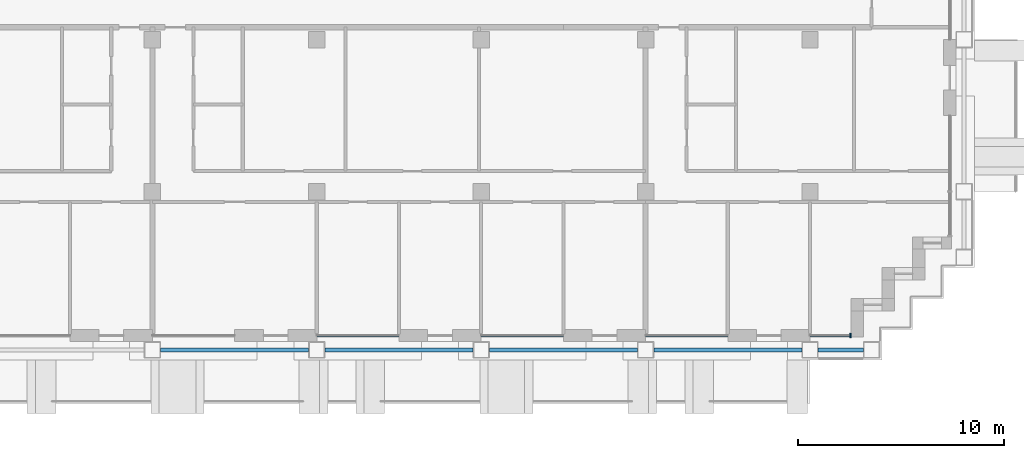
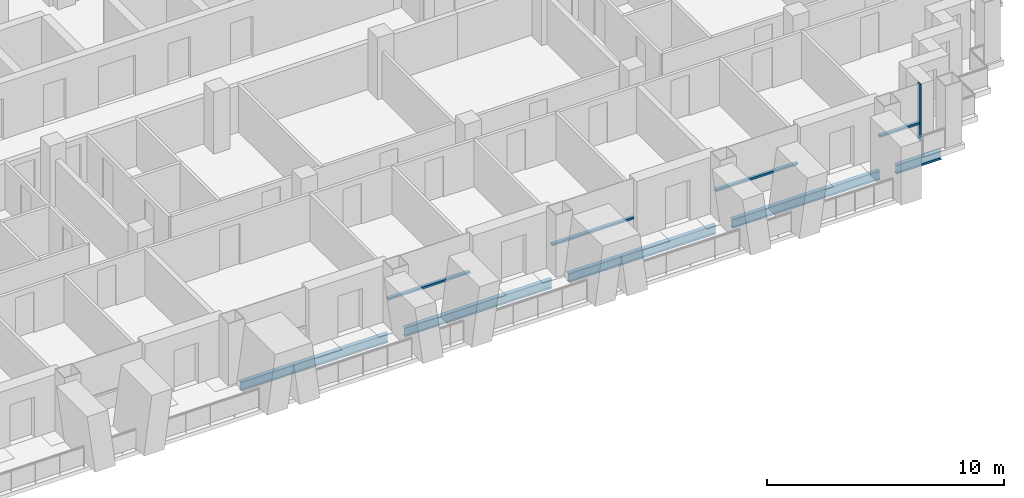
# One storey, part 3 of 16: 5 beams, 5 members, 4 elements without a shape of their own.
"""IFC4 building model written with IfcOpenShell, lengths in metres."""

from ifc_helpers import new_model, si_unit, direction, frame, origin, origin_2d, place, context, subcontext, project, spatial, rectangle, i_section, extrude, material, material_profile, profile_set, type_object, element, aggregate, save


model = new_model("IFC4")

# Units and contexts
model_context = context("Model", 3, precision=1e-05, world=origin(), true_north=direction((0.0, 1.0)))
body_context = subcontext(model_context, "Body", "Model", "MODEL_VIEW")
ifc_project = project(units=[si_unit("LENGTHUNIT", "METRE"), si_unit("AREAUNIT", "SQUARE_METRE"), si_unit("VOLUMEUNIT", "CUBIC_METRE"), si_unit("PLANEANGLEUNIT", "RADIAN"), si_unit("MASSUNIT", "GRAM", prefix="KILO")], contexts=[model_context])

# Site, building, storey
site_placement = place(None, origin())
site = spatial("IfcSite", under=ifc_project, at=site_placement, CompositionType="ELEMENT")
building_placement = place(site_placement, origin())
building = spatial("IfcBuilding", under=site, at=building_placement, Name="Vidyagriha Tower", CompositionType="ELEMENT")
storey_placement = place(building_placement, frame((0.0, 0.0, 145.39990234375)))
storey = spatial("IfcBuildingStorey", under=building, at=storey_placement, Name="L38", CompositionType="ELEMENT", Elevation=145.39990234375)

# Beams
ifc_material_1 = material(Name="Steel ASTM A992 Grade 50", Category="steel")
ifc_material_profile_1 = material_profile(ifc_material_1, i_section(OverallWidth=0.19189453125, OverallDepth=0.46240234375, WebThickness=0.010498046875, FlangeThickness=0.017578125, at=origin_2d()), Name="W18X60")
ifc_profile_set_1 = profile_set([ifc_material_profile_1], Name="Steel ASTM A992 Grade 50")
beam_type = type_object("IfcBeamType", Name="Edge beam W18X60", PredefinedType="SPANDREL", material=ifc_profile_set_1)
for number, where, z_axis, x_axis, name in (
    (1, (-5.60009765625, -17.10009765625, -0.510986328125), (1.0, 0.0, 0.0), (0.0, 1.0, 0.0), "st-beam-L38-S04"),
    (2, (2.39990234375, -17.10009765625, -0.510986328125), (1.0, 0.0, 0.0), (0.0, 1.0, 0.0), "st-beam-L38-S05"),
    (3, (10.39990234375, -17.10009765625, -0.510986328125), (1.0, 0.0, 0.0), (0.0, 1.0, 0.0), "st-beam-L38-S06"),
    (4, (18.39990234375, -17.10009765625, -0.510986328125), (1.0, 0.0, 0.0), (0.0, 1.0, 0.0), "st-beam-L38-S07"),
):
    element("IfcBeam", number, at=place(storey_placement, frame(where, z_axis=z_axis, x_axis=x_axis)), inside=storey, type_object=beam_type, Name=name, PredefinedType="SPANDREL", context=body_context, shape_type="SweptSolid", body=[
        extrude(i_section(OverallWidth=0.19189453125, OverallDepth=0.46240234375, WebThickness=0.010498046875, FlangeThickness=0.017578125, at=origin_2d()), origin(), (0.0, 0.0, 1.0), 7.2001953125),
    ])
beam_placement = place(storey_placement, frame((26.39990234375, -17.10009765625, -0.510986328125), z_axis=(1.0, 0.0, 0.0), x_axis=(0.0, 1.0, 0.0)))
element("IfcBeam", 5, at=beam_placement, inside=storey, type_object=beam_type, Name="st-beam-L38-S08", PredefinedType="SPANDREL", context=body_context, shape_type="SweptSolid", body=[
    extrude(i_section(OverallWidth=0.19189453125, OverallDepth=0.46240234375, WebThickness=0.010498046875, FlangeThickness=0.017578125, at=origin_2d()), origin(), (0.0, 0.0, 1.0), 2.2001953125),
])

# Curtain wall, member
ifc_material_2 = material(Name="Aluminium and glass curtain wall", Category="aluminium")
curtain_wall_type = type_object("IfcCurtainWallType", Name="Dwelling skin unitised curtain wall", PredefinedType="USERDEFINED", material=ifc_material_2)
curtain_wall_1_placement = place(storey_placement, origin())
curtain_wall_1 = element("IfcCurtainWall", 6, at=curtain_wall_1_placement, inside=storey, type_object=curtain_wall_type, Name="CW1 dwelling skin", ObjectType="UNITISED", PredefinedType="USERDEFINED")
ifc_material_3 = material(Name="Aluminium black anodised", Category="aluminium")
ifc_material_profile_2 = material_profile(ifc_material_3, rectangle(XDim=0.199951171875, YDim=0.070068359375, at=origin_2d()), Name="Mullion 70x200 black aluminium")
ifc_profile_set_2 = profile_set([ifc_material_profile_2], Name="Aluminium black anodised")
member_type_1 = type_object("IfcMemberType", Name="Mullion 70x200 black aluminium", PredefinedType="MULLION", material=ifc_profile_set_2)
member_1_placement = place(storey_placement, frame((27.965087890625, -16.39990234375, 0.0), z_axis=(0.0, 0.0, 1.0), x_axis=(0.0, 1.0, 0.0)))
member_1 = element("IfcMember", 7, at=member_1_placement, type_object=member_type_1, Name="CW1 mullion 2", PredefinedType="MULLION", context=body_context, shape_type="SweptSolid", body=[
    extrude(rectangle(XDim=0.199951171875, YDim=0.070068359375, at=origin_2d()), origin(), (0.0, 0.0, 1.0), 2.920166015625),
])

curtain_wall_2_placement = place(storey_placement, origin())
curtain_wall_2 = element("IfcCurtainWall", 8, at=curtain_wall_2_placement, inside=storey, type_object=curtain_wall_type, Name="CW1 dwelling skin", ObjectType="UNITISED", PredefinedType="USERDEFINED")
ifc_material_4 = material(Name="Aluminium black anodised", Category="aluminium")
ifc_material_profile_3 = material_profile(ifc_material_4, rectangle(XDim=0.159912109375, YDim=0.10009765625, at=origin_2d()), Name="Transom 100x160 black aluminium")
ifc_profile_set_3 = profile_set([ifc_material_profile_3], Name="Aluminium black anodised")
member_type_2 = type_object("IfcMemberType", Name="Transom 100x160 black aluminium", PredefinedType="USERDEFINED", material=ifc_profile_set_3)
member_2_placement = place(storey_placement, frame((2.0, -16.39990234375, 0.900146484375), z_axis=(1.0, 0.0, 0.0), x_axis=(0.0, 1.0, 0.0)))
member_2 = element("IfcMember", 9, at=member_2_placement, type_object=member_type_2, Name="CW1 transom 1.1", ObjectType="TRANSOM", PredefinedType="USERDEFINED", context=body_context, shape_type="SweptSolid", body=[
    extrude(rectangle(XDim=0.159912109375, YDim=0.10009765625, at=origin_2d()), origin(), (0.0, 0.0, 1.0), 4.0),
])
aggregate(curtain_wall_2, [member_2])

curtain_wall_3_placement = place(storey_placement, origin())
curtain_wall_3 = element("IfcCurtainWall", 10, at=curtain_wall_3_placement, inside=storey, type_object=curtain_wall_type, Name="CW1 dwelling skin", ObjectType="UNITISED", PredefinedType="USERDEFINED")
member_3_placement = place(storey_placement, frame((10.0, -16.39990234375, 0.900146484375), z_axis=(1.0, 0.0, 0.0), x_axis=(0.0, 1.0, 0.0)))
member_3 = element("IfcMember", 11, at=member_3_placement, type_object=member_type_2, Name="CW1 transom 1.1", ObjectType="TRANSOM", PredefinedType="USERDEFINED", context=body_context, shape_type="SweptSolid", body=[
    extrude(rectangle(XDim=0.159912109375, YDim=0.10009765625, at=origin_2d()), origin(), (0.0, 0.0, 1.0), 4.0),
])
aggregate(curtain_wall_3, [member_3])

curtain_wall_4_placement = place(storey_placement, origin())
curtain_wall_4 = element("IfcCurtainWall", 12, at=curtain_wall_4_placement, inside=storey, type_object=curtain_wall_type, Name="CW1 dwelling skin", ObjectType="UNITISED", PredefinedType="USERDEFINED")
member_4_placement = place(storey_placement, frame((18.0, -16.39990234375, 0.900146484375), z_axis=(1.0, 0.0, 0.0), x_axis=(0.0, 1.0, 0.0)))
member_4 = element("IfcMember", 13, at=member_4_placement, type_object=member_type_2, Name="CW1 transom 1.1", ObjectType="TRANSOM", PredefinedType="USERDEFINED", context=body_context, shape_type="SweptSolid", body=[
    extrude(rectangle(XDim=0.159912109375, YDim=0.10009765625, at=origin_2d()), origin(), (0.0, 0.0, 1.0), 4.0),
])
aggregate(curtain_wall_4, [member_4])

# Member
member_5_placement = place(storey_placement, frame((26.0, -16.39990234375, 0.900146484375), z_axis=(1.0, 0.0, 0.0), x_axis=(0.0, 1.0, 0.0)))
member_5 = element("IfcMember", 14, at=member_5_placement, type_object=member_type_2, Name="CW1 transom 1.1", ObjectType="TRANSOM", PredefinedType="USERDEFINED", context=body_context, shape_type="SweptSolid", body=[
    extrude(rectangle(XDim=0.159912109375, YDim=0.10009765625, at=origin_2d()), origin(), (0.0, 0.0, 1.0), 1.929931640625),
])

aggregate(curtain_wall_1, [member_1, member_5])

save(model, "model.ifc")
